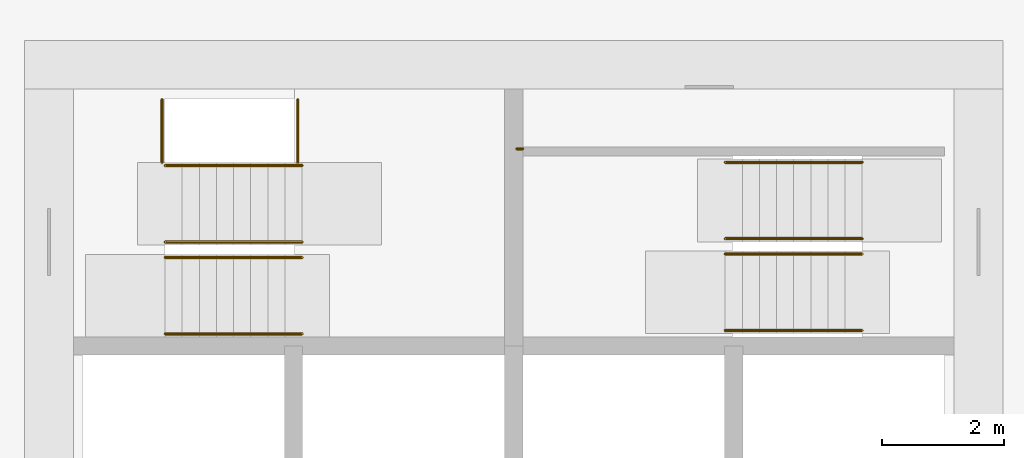
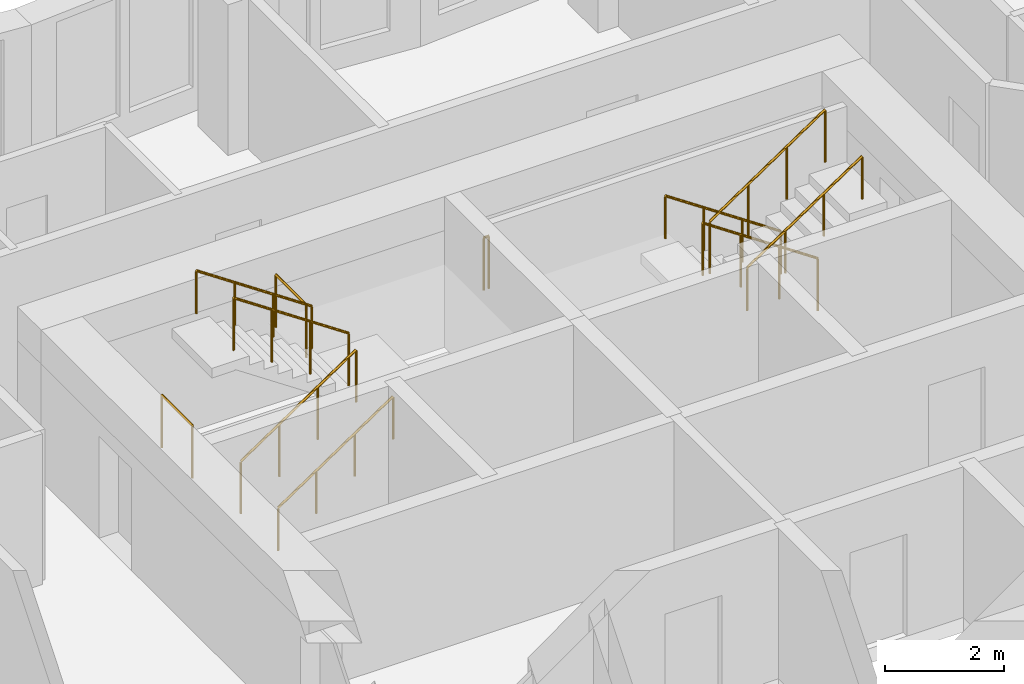
# One storey, part 11 of 12: 11 railings.
"""IFC4 building model written with IfcOpenShell, lengths in metres."""

from ifc_helpers import new_model, si_unit, direction, frame, origin, origin_2d, place, context, subcontext, project, spatial, circle, extrude, material, type_object, element, save


model = new_model("IFC4")

# Units and contexts
model_context = context("Model", 3, precision=1e-05, world=origin(), true_north=direction((0.0, 1.0)))
body_context = subcontext(model_context, "Body", "Model", "MODEL_VIEW")
ifc_project = project(units=[si_unit("LENGTHUNIT", "METRE"), si_unit("AREAUNIT", "SQUARE_METRE"), si_unit("VOLUMEUNIT", "CUBIC_METRE"), si_unit("PLANEANGLEUNIT", "RADIAN"), si_unit("MASSUNIT", "GRAM", prefix="KILO")], contexts=[model_context])

# Site, building, storey
site_placement = place(None, origin())
site = spatial("IfcSite", under=ifc_project, at=site_placement, CompositionType="ELEMENT")
building_placement = place(site_placement, origin())
building = spatial("IfcBuilding", under=site, at=building_placement, Name="Windrow Commons", CompositionType="ELEMENT")
storey_placement = place(building_placement, frame((0.0, 0.0, 81.2)))
storey = spatial("IfcBuildingStorey", under=building, at=storey_placement, Name="L21", CompositionType="ELEMENT", Elevation=81.2)

# Railings
ifc_material_1 = material(Name="Steel S355", Category="steel")
railing_type_1 = type_object("IfcRailingType", Name="Core stair guard 1100", PredefinedType="GUARDRAIL", material=ifc_material_1)
railing_1_placement = place(storey_placement, frame((59.1, 62.05, 0.1889)))
element("IfcRailing", 1, at=railing_1_placement, inside=storey, type_object=railing_type_1, Name="L21 ST-A1 stair guard 1", PredefinedType="GUARDRAIL", context=body_context, shape_type="SweptSolid", body=[
    extrude(circle(Radius=0.024, at=origin_2d()), frame((0.0, 0.0, 1.076), z_axis=(0.8290030985, 0.0, 0.5592440099), x_axis=(0.0, 1.0, 0.0)), (0.0, 0.0, 1.0), 2.702),
    extrude(circle(Radius=0.021, at=origin_2d()), origin(), (0.0, 0.0, 1.0), 1.052),
    extrude(circle(Radius=0.021, at=origin_2d()), frame((0.7467, 0.0, 0.5037)), (0.0, 0.0, 1.0), 1.052),
    extrude(circle(Radius=0.021, at=origin_2d()), frame((1.4933, 0.0, 1.0074)), (0.0, 0.0, 1.0), 1.052),
    extrude(circle(Radius=0.021, at=origin_2d()), frame((2.24, 0.0, 1.5111)), (0.0, 0.0, 1.0), 1.052),
])
railing_2_placement = place(storey_placement, frame((61.34, 62.3, 1.8889)))
element("IfcRailing", 2, at=railing_2_placement, inside=storey, type_object=railing_type_1, Name="L21 ST-A1 stair guard 2", PredefinedType="GUARDRAIL", context=body_context, shape_type="SweptSolid", body=[
    extrude(circle(Radius=0.024, at=origin_2d()), frame((0.0, 0.0, 1.076), z_axis=(-0.8290030985, 0.0, 0.5592440099), x_axis=(0.0, -1.0, 0.0)), (0.0, 0.0, 1.0), 2.702),
    extrude(circle(Radius=0.021, at=origin_2d()), origin(), (0.0, 0.0, 1.0), 1.052),
    extrude(circle(Radius=0.021, at=origin_2d()), frame((-0.7467, 0.0, 0.5037)), (0.0, 0.0, 1.0), 1.052),
    extrude(circle(Radius=0.021, at=origin_2d()), frame((-1.4933, 0.0, 1.0074)), (0.0, 0.0, 1.0), 1.052),
    extrude(circle(Radius=0.021, at=origin_2d()), frame((-2.24, 0.0, 1.5111)), (0.0, 0.0, 1.0), 1.052),
])
for number, where, name in (
    (3, (59.05, 63.6, 0.0), "L21 ST-A1 stair guard 3"),
    (4, (61.27, 63.6, 1.7), "L21 ST-A1 stair guard 4"),
):
    element("IfcRailing", number, at=place(storey_placement, frame(where)), inside=storey, type_object=railing_type_1, Name=name, PredefinedType="GUARDRAIL", context=body_context, shape_type="SweptSolid", body=[
        extrude(circle(Radius=0.024, at=origin_2d()), frame((0.0, 0.0, 1.076), z_axis=(0.0, 1.0, 0.0), x_axis=(-1.0, 0.0, 0.0)), (0.0, 0.0, 1.0), 1.03),
        extrude(circle(Radius=0.021, at=origin_2d()), origin(), (0.0, 0.0, 1.0), 1.052),
        extrude(circle(Radius=0.021, at=origin_2d()), frame((0.0, 1.03, 0.0)), (0.0, 0.0, 1.0), 1.052),
    ])
railing_3_placement = place(storey_placement, frame((70.5, 62.355, 0.1889)))
element("IfcRailing", 5, at=railing_3_placement, inside=storey, type_object=railing_type_1, Name="L21 ST-A2 stair guard 1", PredefinedType="GUARDRAIL", context=body_context, shape_type="SweptSolid", body=[
    extrude(circle(Radius=0.024, at=origin_2d()), frame((0.0, 0.0, 1.076), z_axis=(-0.8290030985, 0.0, 0.5592440099), x_axis=(0.0, -1.0, 0.0)), (0.0, 0.0, 1.0), 2.702),
    extrude(circle(Radius=0.021, at=origin_2d()), origin(), (0.0, 0.0, 1.0), 1.052),
    extrude(circle(Radius=0.021, at=origin_2d()), frame((-0.7467, 0.0, 0.5037)), (0.0, 0.0, 1.0), 1.052),
    extrude(circle(Radius=0.021, at=origin_2d()), frame((-1.4933, 0.0, 1.0074)), (0.0, 0.0, 1.0), 1.052),
    extrude(circle(Radius=0.021, at=origin_2d()), frame((-2.24, 0.0, 1.5111)), (0.0, 0.0, 1.0), 1.052),
])
railing_4_placement = place(storey_placement, frame((68.26, 62.105, 1.8889)))
element("IfcRailing", 6, at=railing_4_placement, inside=storey, type_object=railing_type_1, Name="L21 ST-A2 stair guard 2", PredefinedType="GUARDRAIL", context=body_context, shape_type="SweptSolid", body=[
    extrude(circle(Radius=0.024, at=origin_2d()), frame((0.0, 0.0, 1.076), z_axis=(0.8290030985, 0.0, 0.5592440099), x_axis=(0.0, 1.0, 0.0)), (0.0, 0.0, 1.0), 2.702),
    extrude(circle(Radius=0.021, at=origin_2d()), origin(), (0.0, 0.0, 1.0), 1.052),
    extrude(circle(Radius=0.021, at=origin_2d()), frame((0.7467, 0.0, 0.5037)), (0.0, 0.0, 1.0), 1.052),
    extrude(circle(Radius=0.021, at=origin_2d()), frame((1.4933, 0.0, 1.0074)), (0.0, 0.0, 1.0), 1.052),
    extrude(circle(Radius=0.021, at=origin_2d()), frame((2.24, 0.0, 1.5111)), (0.0, 0.0, 1.0), 1.052),
])
railing_5_placement = place(storey_placement, frame((64.95, 63.825, 1.7)))
element("IfcRailing", 7, at=railing_5_placement, inside=storey, type_object=railing_type_1, Name="L21 ST-A2 stair guard 3", PredefinedType="GUARDRAIL", context=body_context, shape_type="SweptSolid", body=[
    extrude(circle(Radius=0.024, at=origin_2d()), frame((0.0, 0.0, 1.076), z_axis=(-1.0, 0.0, 0.0), x_axis=(0.0, -1.0, 0.0)), (0.0, 0.0, 1.0), 0.1),
    extrude(circle(Radius=0.021, at=origin_2d()), origin(), (0.0, 0.0, 1.0), 1.052),
    extrude(circle(Radius=0.021, at=origin_2d()), frame((-0.1, 0.0, 0.0)), (0.0, 0.0, 1.0), 1.052),
])
ifc_material_2 = material(Name="Steel S355", Category="steel")
railing_type_2 = type_object("IfcRailingType", Name="Core stair handrail 900", PredefinedType="HANDRAIL", material=ifc_material_2)
railing_6_placement = place(storey_placement, frame((59.1, 60.8, 0.1889)))
element("IfcRailing", 8, at=railing_6_placement, inside=storey, type_object=railing_type_2, Name="L21 ST-A1 stair handrail 1", PredefinedType="HANDRAIL", context=body_context, shape_type="SweptSolid", body=[
    extrude(circle(Radius=0.024, at=origin_2d()), frame((0.0, 0.0, 0.876), z_axis=(0.8290030985, 0.0, 0.5592440099), x_axis=(0.0, 1.0, 0.0)), (0.0, 0.0, 1.0), 2.702),
    extrude(circle(Radius=0.021, at=origin_2d()), origin(), (0.0, 0.0, 1.0), 0.852),
    extrude(circle(Radius=0.021, at=origin_2d()), frame((0.7467, 0.0, 0.5037)), (0.0, 0.0, 1.0), 0.852),
    extrude(circle(Radius=0.021, at=origin_2d()), frame((1.4933, 0.0, 1.0074)), (0.0, 0.0, 1.0), 0.852),
    extrude(circle(Radius=0.021, at=origin_2d()), frame((2.24, 0.0, 1.5111)), (0.0, 0.0, 1.0), 0.852),
])
for number, where, name in (
    (9, (61.34, 63.55, 1.8889), "L21 ST-A1 stair handrail 2"),
    (10, (70.5, 63.605, 0.1889), "L21 ST-A2 stair handrail 1"),
):
    element("IfcRailing", number, at=place(storey_placement, frame(where)), inside=storey, type_object=railing_type_2, Name=name, PredefinedType="HANDRAIL", context=body_context, shape_type="SweptSolid", body=[
        extrude(circle(Radius=0.024, at=origin_2d()), frame((0.0, 0.0, 0.876), z_axis=(-0.8290030985, 0.0, 0.5592440099), x_axis=(0.0, -1.0, 0.0)), (0.0, 0.0, 1.0), 2.702),
        extrude(circle(Radius=0.021, at=origin_2d()), origin(), (0.0, 0.0, 1.0), 0.852),
        extrude(circle(Radius=0.021, at=origin_2d()), frame((-0.7467, 0.0, 0.5037)), (0.0, 0.0, 1.0), 0.852),
        extrude(circle(Radius=0.021, at=origin_2d()), frame((-1.4933, 0.0, 1.0074)), (0.0, 0.0, 1.0), 0.852),
        extrude(circle(Radius=0.021, at=origin_2d()), frame((-2.24, 0.0, 1.5111)), (0.0, 0.0, 1.0), 0.852),
    ])
railing_7_placement = place(storey_placement, frame((68.26, 60.855, 1.8889)))
element("IfcRailing", 11, at=railing_7_placement, inside=storey, type_object=railing_type_2, Name="L21 ST-A2 stair handrail 2", PredefinedType="HANDRAIL", context=body_context, shape_type="SweptSolid", body=[
    extrude(circle(Radius=0.024, at=origin_2d()), frame((0.0, 0.0, 0.876), z_axis=(0.8290030985, 0.0, 0.5592440099), x_axis=(0.0, 1.0, 0.0)), (0.0, 0.0, 1.0), 2.702),
    extrude(circle(Radius=0.021, at=origin_2d()), origin(), (0.0, 0.0, 1.0), 0.852),
    extrude(circle(Radius=0.021, at=origin_2d()), frame((0.7467, 0.0, 0.5037)), (0.0, 0.0, 1.0), 0.852),
    extrude(circle(Radius=0.021, at=origin_2d()), frame((1.4933, 0.0, 1.0074)), (0.0, 0.0, 1.0), 0.852),
    extrude(circle(Radius=0.021, at=origin_2d()), frame((2.24, 0.0, 1.5111)), (0.0, 0.0, 1.0), 0.852),
])

save(model, "model.ifc")
